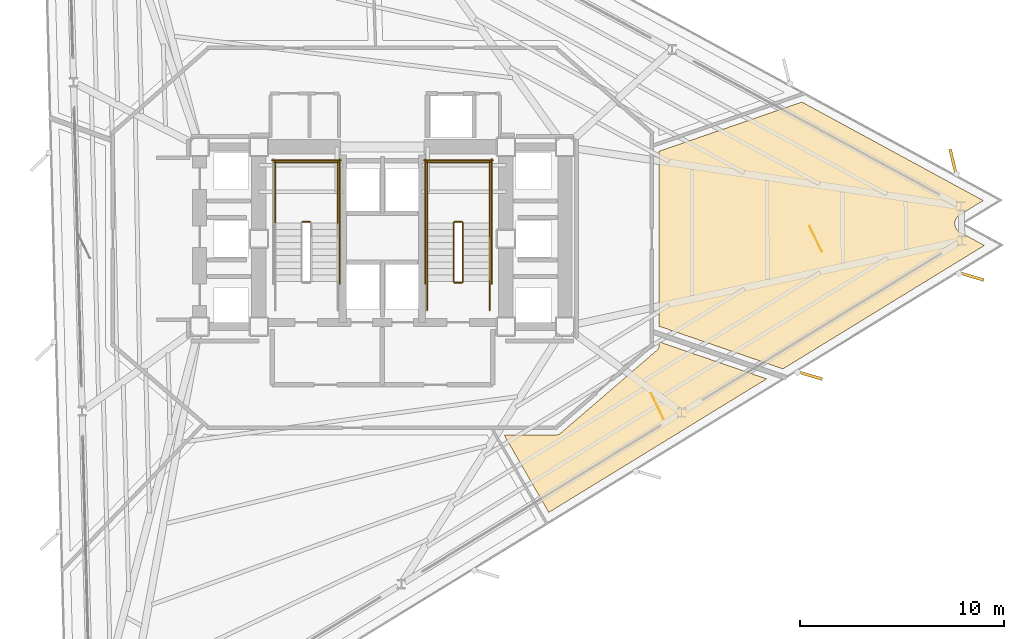
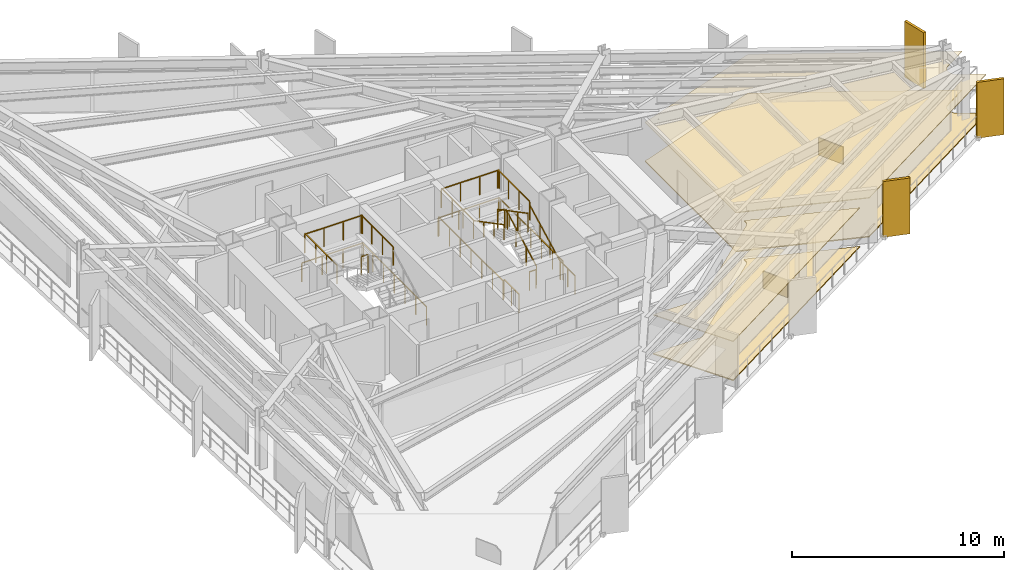
# One storey, part 13 of 14: 20 railings, 6 coverings, 3 shading devices.
"""IFC4 building model written with IfcOpenShell, lengths in metres."""

from ifc_helpers import new_model, si_unit, direction, frame, origin, origin_2d, place, context, subcontext, project, spatial, polyline, rectangle, outline, extrude, material, layer, layer_set, type_object, element, save


model = new_model("IFC4")

# Units and contexts
model_context = context("Model", 3, precision=1e-05, world=origin(), true_north=direction((0.0, 1.0)))
body_context = subcontext(model_context, "Body", "Model", "MODEL_VIEW")
ifc_project = project(units=[si_unit("LENGTHUNIT", "METRE"), si_unit("AREAUNIT", "SQUARE_METRE"), si_unit("VOLUMEUNIT", "CUBIC_METRE"), si_unit("PLANEANGLEUNIT", "RADIAN"), si_unit("MASSUNIT", "GRAM", prefix="KILO")], contexts=[model_context])

# Site, building, storey
site_placement = place(None, origin())
site = spatial("IfcSite", under=ifc_project, at=site_placement, CompositionType="ELEMENT")
building_placement = place(site_placement, origin())
building = spatial("IfcBuilding", under=site, at=building_placement, Name="Rocaltana Carrier Exchange", CompositionType="ELEMENT")
storey_placement = place(building_placement, frame((0.0, 0.0, 39.0400390625)))
storey = spatial("IfcBuildingStorey", under=building, at=storey_placement, Name="L12", CompositionType="ELEMENT", Elevation=39.0400390625)

# Coverings
ifc_material_1 = material(Name="Calcium Sulphate & Aluminium Pedestal", Category="aluminium")
ifc_layer_1 = layer(ifc_material_1, 0.06005859375)
ifc_layer_set_1 = layer_set([ifc_layer_1], Name="Calcium Sulphate & Aluminium Pedestal")
covering_type_1 = type_object("IfcCoveringType", Name="Anti-Static Raised Exchange Access Floor 60", PredefinedType="FLOORING", material=ifc_layer_set_1)
covering_1_placement = place(storey_placement, origin())
element("IfcCovering", 1, at=covering_1_placement, inside=storey, type_object=covering_type_1, Name="L12 Cloud Architecture Office Finish Floor", PredefinedType="FLOORING", context=body_context, shape_type="SweptSolid", body=[
    extrude(outline(polyline([(8.152587890625, -13.40087890625), (5.964111328125, -9.610107421875), (8.5, -9.610107421875), (8.51416015625, -9.609619140625), (8.522216796875, -9.609130859375), (8.550537109375, -9.606201171875), (8.55859375, -9.60498046875), (8.58642578125, -9.599365234375), (8.594482421875, -9.597412109375), (8.62158203125, -9.5888671875), (8.629150390625, -9.5859375), (8.6552734375, -9.57470703125), (8.66259765625, -9.571044921875), (8.6875, -9.557373046875), (8.6943359375, -9.552978515625), (8.717529296875, -9.53662109375), (8.72412109375, -9.53173828125), (8.735107421875, -9.522705078125), (13.43505859375, -5.47265625), (13.44482421875, -5.4638671875), (13.450439453125, -5.45849609375), (13.468994140625, -5.439208984375), (13.47412109375, -5.433349609375), (13.490478515625, -5.41259765625), (13.4951171875, -5.40625), (13.509521484375, -5.3837890625), (13.51318359375, -5.377197265625), (13.525634765625, -5.353515625), (13.52880859375, -5.346435546875), (13.538818359375, -5.32177734375), (13.541259765625, -5.314453125), (13.548828125, -5.288818359375), (13.550537109375, -5.281494140625), (13.5556640625, -5.255126953125), (13.556884765625, -5.24755859375), (13.559326171875, -5.220947265625), (13.559814453125, -5.21337890625), (13.56005859375, -5.199951171875), (13.56005859375, -5.0498046875), (18.822998046875, -6.862060546875), (8.152587890625, -13.40087890625)])), origin(), (0.0, 0.0, 1.0), 0.06005859375),
])
covering_2_placement = place(storey_placement, origin())
element("IfcCovering", 2, at=covering_2_placement, inside=storey, type_object=covering_type_1, Name="L12 Optical Switching Laboratory Finish Floor", PredefinedType="FLOORING", context=body_context, shape_type="SweptSolid", body=[
    extrude(outline(polyline([(29.427490234375, 1.87109375), (28.260498046875, 1.156005859375), (28.248779296875, 1.148193359375), (28.232421875, 1.136962890625), (28.210205078125, 1.1201171875), (28.19482421875, 1.107421875), (28.17431640625, 1.08837890625), (28.160400390625, 1.073974609375), (28.14208984375, 1.052978515625), (28.129638671875, 1.03759765625), (28.11328125, 1.014892578125), (28.1025390625, 0.998046875), (28.088623046875, 0.973876953125), (28.07958984375, 0.9560546875), (28.068115234375, 0.9306640625), (28.060791015625, 0.912109375), (28.052001953125, 0.885498046875), (28.046630859375, 0.866455078125), (28.04052734375, 0.839111328125), (28.037109375, 0.819580078125), (28.03369140625, 0.791748046875), (28.031982421875, 0.77197265625), (28.031494140625, 0.743896484375), (28.031982421875, 0.72412109375), (28.0341796875, 0.6962890625), (28.03662109375, 0.676513671875), (28.04150390625, 0.64892578125), (28.0458984375, 0.629638671875), (28.053466796875, 0.602783203125), (28.059814453125, 0.583740234375), (28.070068359375, 0.557861328125), (28.078369140625, 0.539794921875), (28.091064453125, 0.514892578125), (28.10107421875, 0.49755859375), (28.1162109375, 0.47412109375), (28.1279296875, 0.4580078125), (28.1455078125, 0.436279296875), (28.15869140625, 0.421142578125), (28.177978515625, 0.4013671875), (28.192626953125, 0.3876953125), (28.214111328125, 0.369873046875), (28.22998046875, 0.35791015625), (28.253173828125, 0.342041015625), (28.270263671875, 0.331787109375), (28.2822265625, 0.32470703125), (29.485107421875, -0.328369140625), (19.61865234375, -6.37451171875), (13.56005859375, -4.288330078125), (13.56005859375, 4.288330078125), (20.54541015625, 6.693603515625), (29.427490234375, 1.87109375)])), origin(), (0.0, 0.0, 1.0), 0.06005859375),
])
ifc_material_2 = material(Name="Mineral Fibre & Powder-Coated Aluminium", Category="aluminium")
ifc_layer_2 = layer(ifc_material_2, 0.044921875)
ifc_layer_set_2 = layer_set([ifc_layer_2], Name="Mineral Fibre & Powder-Coated Aluminium")
covering_type_2 = type_object("IfcCoveringType", Name="Micro-Perforated Acoustic Ceiling 45", PredefinedType="CEILING", material=ifc_layer_set_2)
covering_3_placement = place(storey_placement, frame((0.0, 0.0, 2.242919921875)))
element("IfcCovering", 3, at=covering_3_placement, inside=storey, type_object=covering_type_2, Name="L12 Cloud Architecture Office Acoustic Ceiling", PredefinedType="CEILING", context=body_context, shape_type="SweptSolid", body=[
    extrude(outline(polyline([(8.152587890625, -13.40087890625), (5.964111328125, -9.610107421875), (8.5, -9.610107421875), (8.51416015625, -9.609619140625), (8.522216796875, -9.609130859375), (8.550537109375, -9.606201171875), (8.55859375, -9.60498046875), (8.58642578125, -9.599365234375), (8.594482421875, -9.597412109375), (8.62158203125, -9.5888671875), (8.629150390625, -9.5859375), (8.6552734375, -9.57470703125), (8.66259765625, -9.571044921875), (8.6875, -9.557373046875), (8.6943359375, -9.552978515625), (8.717529296875, -9.53662109375), (8.72412109375, -9.53173828125), (8.735107421875, -9.522705078125), (13.43505859375, -5.47265625), (13.44482421875, -5.4638671875), (13.450439453125, -5.45849609375), (13.468994140625, -5.439208984375), (13.47412109375, -5.433349609375), (13.490478515625, -5.41259765625), (13.4951171875, -5.40625), (13.509521484375, -5.3837890625), (13.51318359375, -5.377197265625), (13.525634765625, -5.353515625), (13.52880859375, -5.346435546875), (13.538818359375, -5.32177734375), (13.541259765625, -5.314453125), (13.548828125, -5.288818359375), (13.550537109375, -5.281494140625), (13.5556640625, -5.255126953125), (13.556884765625, -5.24755859375), (13.559326171875, -5.220947265625), (13.559814453125, -5.21337890625), (13.56005859375, -5.199951171875), (13.56005859375, -5.0498046875), (18.822998046875, -6.862060546875), (8.152587890625, -13.40087890625)])), origin(), (0.0, 0.0, 1.0), 0.044921875),
])
covering_4_placement = place(storey_placement, frame((0.0, 0.0, 2.242919921875)))
element("IfcCovering", 4, at=covering_4_placement, inside=storey, type_object=covering_type_2, Name="L12 Optical Switching Laboratory Acoustic Ceiling", PredefinedType="CEILING", context=body_context, shape_type="SweptSolid", body=[
    extrude(outline(polyline([(29.427490234375, 1.87109375), (28.260498046875, 1.156005859375), (28.248779296875, 1.148193359375), (28.232421875, 1.136962890625), (28.210205078125, 1.1201171875), (28.19482421875, 1.107421875), (28.17431640625, 1.08837890625), (28.160400390625, 1.073974609375), (28.14208984375, 1.052978515625), (28.129638671875, 1.03759765625), (28.11328125, 1.014892578125), (28.1025390625, 0.998046875), (28.088623046875, 0.973876953125), (28.07958984375, 0.9560546875), (28.068115234375, 0.9306640625), (28.060791015625, 0.912109375), (28.052001953125, 0.885498046875), (28.046630859375, 0.866455078125), (28.04052734375, 0.839111328125), (28.037109375, 0.819580078125), (28.03369140625, 0.791748046875), (28.031982421875, 0.77197265625), (28.031494140625, 0.743896484375), (28.031982421875, 0.72412109375), (28.0341796875, 0.6962890625), (28.03662109375, 0.676513671875), (28.04150390625, 0.64892578125), (28.0458984375, 0.629638671875), (28.053466796875, 0.602783203125), (28.059814453125, 0.583740234375), (28.070068359375, 0.557861328125), (28.078369140625, 0.539794921875), (28.091064453125, 0.514892578125), (28.10107421875, 0.49755859375), (28.1162109375, 0.47412109375), (28.1279296875, 0.4580078125), (28.1455078125, 0.436279296875), (28.15869140625, 0.421142578125), (28.177978515625, 0.4013671875), (28.192626953125, 0.3876953125), (28.214111328125, 0.369873046875), (28.22998046875, 0.35791015625), (28.253173828125, 0.342041015625), (28.270263671875, 0.331787109375), (28.2822265625, 0.32470703125), (29.485107421875, -0.328369140625), (19.61865234375, -6.37451171875), (13.56005859375, -4.288330078125), (13.56005859375, 4.288330078125), (20.54541015625, 6.693603515625), (29.427490234375, 1.87109375)])), origin(), (0.0, 0.0, 1.0), 0.044921875),
])

# Railings
ifc_material_3 = material(Name="Brushed Architectural Stainless Tube", Category="steel")
ifc_layer_3 = layer(ifc_material_3, 0.048095703125)
ifc_layer_set_3 = layer_set([ifc_layer_3], Name="Brushed Architectural Stainless Tube")
railing_type_1 = type_object("IfcRailingType", Name="Stair Wall Handrail 920", PredefinedType="HANDRAIL", material=ifc_layer_set_3)
railing_1_placement = place(storey_placement, frame((5.25, -2.10009765625, 0.16796875)))
element("IfcRailing", 5, at=railing_1_placement, inside=storey, type_object=railing_type_1, Name="L12 ST-2 stair handrail 1", PredefinedType="HANDRAIL", context=body_context, shape_type="SweptSolid", body=[
    extrude(rectangle(XDim=0.048095703125, YDim=0.048095703125, at=origin_2d()), frame((0.0, 0.0, 0.8759765625), z_axis=(0.0, 0.885411030485, 0.464808893091), x_axis=(-1.0, 0.0, 0.0)), (0.0, 0.0, 1.0), 3.2529296875),
    extrude(rectangle(XDim=0.0419921875, YDim=0.0419921875, at=origin_2d()), origin(), (0.0, 0.0, 1.0), 0.851806640625),
    extrude(rectangle(XDim=0.0419921875, YDim=0.0419921875, at=origin_2d()), frame((0.0, 0.9599609375, 0.50390625)), (0.0, 0.0, 1.0), 0.851806640625),
    extrude(rectangle(XDim=0.0419921875, YDim=0.0419921875, at=origin_2d()), frame((0.0, 1.920166015625, 1.008056640625)), (0.0, 0.0, 1.0), 0.851806640625),
    extrude(rectangle(XDim=0.0419921875, YDim=0.0419921875, at=origin_2d()), frame((0.0, 2.880126953125, 1.511962890625)), (0.0, 0.0, 1.0), 0.851806640625),
])
railing_2_placement = place(storey_placement, frame((2.18994140625, 0.780029296875, 1.847900390625)))
element("IfcRailing", 6, at=railing_2_placement, inside=storey, type_object=railing_type_1, Name="L12 ST-2 stair handrail 2", PredefinedType="HANDRAIL", context=body_context, shape_type="SweptSolid", body=[
    extrude(rectangle(XDim=0.048095703125, YDim=0.048095703125, at=origin_2d()), frame((0.0, 0.0, 0.8759765625), z_axis=(0.0, -0.885411030485, 0.464808893091), x_axis=(1.0, 0.0, 0.0)), (0.0, 0.0, 1.0), 3.2529296875),
    extrude(rectangle(XDim=0.0419921875, YDim=0.0419921875, at=origin_2d()), origin(), (0.0, 0.0, 1.0), 0.851806640625),
    extrude(rectangle(XDim=0.0419921875, YDim=0.0419921875, at=origin_2d()), frame((0.0, -0.9599609375, 0.50390625)), (0.0, 0.0, 1.0), 0.851806640625),
    extrude(rectangle(XDim=0.0419921875, YDim=0.0419921875, at=origin_2d()), frame((0.0, -1.920166015625, 1.008056640625)), (0.0, 0.0, 1.0), 0.851806640625),
    extrude(rectangle(XDim=0.0419921875, YDim=0.0419921875, at=origin_2d()), frame((0.0, -2.880126953125, 1.511962890625)), (0.0, 0.0, 1.0), 0.851806640625),
])
ifc_material_4 = material(Name="Powder-Coated Aluminium 6063-T6", Category="aluminium")
ifc_layer_4 = layer(ifc_material_4, 0.048095703125)
ifc_layer_set_4 = layer_set([ifc_layer_4], Name="Powder-Coated Aluminium 6063-T6")
railing_type_2 = type_object("IfcRailingType", Name="Stair Well Guardrail 1100", PredefinedType="GUARDRAIL", material=ifc_layer_set_4)
railing_3_placement = place(storey_placement, frame((-3.5400390625, 0.830078125, 1.679931640625)))
element("IfcRailing", 7, at=railing_3_placement, inside=storey, type_object=railing_type_2, Name="L12 ST-1 stair guard 2", PredefinedType="GUARDRAIL", context=body_context, shape_type="SweptSolid", body=[
    extrude(rectangle(XDim=0.048095703125, YDim=0.048095703125, at=origin_2d()), frame((0.0, 0.0, 1.076171875), z_axis=(-1.0, 0.0, 0.0), x_axis=(0.0, -1.0, 0.0)), (0.0, 0.0, 1.0), 0.35986328125),
    extrude(rectangle(XDim=0.0419921875, YDim=0.0419921875, at=origin_2d()), origin(), (0.0, 0.0, 1.0), 1.052001953125),
    extrude(rectangle(XDim=0.0419921875, YDim=0.0419921875, at=origin_2d()), frame((-0.35986328125, 0.0, 0.0)), (0.0, 0.0, 1.0), 1.052001953125),
])
for number, where, name in (
    (8, (-2.18994140625, 0.780029296875, 1.679931640625), "L12 ST-1 stair guard 3"),
    (9, (-5.25, 0.780029296875, 1.679931640625), "L12 ST-1 stair guard 4"),
):
    element("IfcRailing", number, at=place(storey_placement, frame(where)), inside=storey, type_object=railing_type_2, Name=name, PredefinedType="GUARDRAIL", context=body_context, shape_type="SweptSolid", body=[
        extrude(rectangle(XDim=0.048095703125, YDim=0.048095703125, at=origin_2d()), frame((0.0, 0.0, 1.076171875), z_axis=(0.0, 1.0, 0.0), x_axis=(-1.0, 0.0, 0.0)), (0.0, 0.0, 1.0), 3.02001953125),
        extrude(rectangle(XDim=0.0419921875, YDim=0.0419921875, at=origin_2d()), origin(), (0.0, 0.0, 1.0), 1.052001953125),
        extrude(rectangle(XDim=0.0419921875, YDim=0.0419921875, at=origin_2d()), frame((0.0, 1.006591796875, 0.0)), (0.0, 0.0, 1.0), 1.052001953125),
        extrude(rectangle(XDim=0.0419921875, YDim=0.0419921875, at=origin_2d()), frame((0.0, 2.013427734375, 0.0)), (0.0, 0.0, 1.0), 1.052001953125),
        extrude(rectangle(XDim=0.0419921875, YDim=0.0419921875, at=origin_2d()), frame((0.0, 3.02001953125, 0.0)), (0.0, 0.0, 1.0), 1.052001953125),
    ])
railing_4_placement = place(storey_placement, frame((-2.139892578125, 3.75, 1.679931640625)))
element("IfcRailing", 10, at=railing_4_placement, inside=storey, type_object=railing_type_2, Name="L12 ST-1 stair guard 5", PredefinedType="GUARDRAIL", context=body_context, shape_type="SweptSolid", body=[
    extrude(rectangle(XDim=0.048095703125, YDim=0.048095703125, at=origin_2d()), frame((0.0, 0.0, 1.076171875), z_axis=(-1.0, 0.0, 0.0), x_axis=(0.0, -1.0, 0.0)), (0.0, 0.0, 1.0), 3.16015625),
    extrude(rectangle(XDim=0.0419921875, YDim=0.0419921875, at=origin_2d()), origin(), (0.0, 0.0, 1.0), 1.052001953125),
    extrude(rectangle(XDim=0.0419921875, YDim=0.0419921875, at=origin_2d()), frame((-1.053466796875, 0.0, 0.0)), (0.0, 0.0, 1.0), 1.052001953125),
    extrude(rectangle(XDim=0.0419921875, YDim=0.0419921875, at=origin_2d()), frame((-2.106689453125, 0.0, 0.0)), (0.0, 0.0, 1.0), 1.052001953125),
    extrude(rectangle(XDim=0.0419921875, YDim=0.0419921875, at=origin_2d()), frame((-3.16015625, 0.0, 0.0)), (0.0, 0.0, 1.0), 1.052001953125),
])
railing_5_placement = place(storey_placement, frame((-2.090087890625, -2.199951171875, 0.0)))
element("IfcRailing", 11, at=railing_5_placement, inside=storey, type_object=railing_type_2, Name="L12 ST-1 stair guard 10", PredefinedType="GUARDRAIL", context=body_context, shape_type="SweptSolid", body=[
    extrude(rectangle(XDim=0.048095703125, YDim=0.048095703125, at=origin_2d()), frame((0.0, 0.0, 1.076171875), z_axis=(0.0, 1.0, 0.0), x_axis=(-1.0, 0.0, 0.0)), (0.0, 0.0, 1.0), 6.099853515625),
    extrude(rectangle(XDim=0.0419921875, YDim=0.0419921875, at=origin_2d()), origin(), (0.0, 0.0, 1.0), 1.052001953125),
    extrude(rectangle(XDim=0.0419921875, YDim=0.0419921875, at=origin_2d()), frame((0.0, 1.0166015625, 0.0)), (0.0, 0.0, 1.0), 1.052001953125),
    extrude(rectangle(XDim=0.0419921875, YDim=0.0419921875, at=origin_2d()), frame((0.0, 2.033203125, 0.0)), (0.0, 0.0, 1.0), 1.052001953125),
    extrude(rectangle(XDim=0.0419921875, YDim=0.0419921875, at=origin_2d()), frame((0.0, 3.0498046875, 0.0)), (0.0, 0.0, 1.0), 1.052001953125),
    extrude(rectangle(XDim=0.0419921875, YDim=0.0419921875, at=origin_2d()), frame((0.0, 4.066650390625, 0.0)), (0.0, 0.0, 1.0), 1.052001953125),
    extrude(rectangle(XDim=0.0419921875, YDim=0.0419921875, at=origin_2d()), frame((0.0, 5.083251953125, 0.0)), (0.0, 0.0, 1.0), 1.052001953125),
    extrude(rectangle(XDim=0.0419921875, YDim=0.0419921875, at=origin_2d()), frame((0.0, 6.099853515625, 0.0)), (0.0, 0.0, 1.0), 1.052001953125),
])
railing_6_placement = place(storey_placement, frame((-2.0400390625, 3.85009765625, 0.0)))
element("IfcRailing", 12, at=railing_6_placement, inside=storey, type_object=railing_type_2, Name="L12 ST-1 stair guard 12", PredefinedType="GUARDRAIL", context=body_context, shape_type="SweptSolid", body=[
    extrude(rectangle(XDim=0.048095703125, YDim=0.048095703125, at=origin_2d()), frame((0.0, 0.0, 1.076171875), z_axis=(-1.0, 0.0, 0.0), x_axis=(0.0, -1.0, 0.0)), (0.0, 0.0, 1.0), 3.35986328125),
    extrude(rectangle(XDim=0.0419921875, YDim=0.0419921875, at=origin_2d()), origin(), (0.0, 0.0, 1.0), 1.052001953125),
    extrude(rectangle(XDim=0.0419921875, YDim=0.0419921875, at=origin_2d()), frame((-1.119873046875, 0.0, 0.0)), (0.0, 0.0, 1.0), 1.052001953125),
    extrude(rectangle(XDim=0.0419921875, YDim=0.0419921875, at=origin_2d()), frame((-2.239990234375, 0.0, 0.0)), (0.0, 0.0, 1.0), 1.052001953125),
    extrude(rectangle(XDim=0.0419921875, YDim=0.0419921875, at=origin_2d()), frame((-3.35986328125, 0.0, 0.0)), (0.0, 0.0, 1.0), 1.052001953125),
])
railing_7_placement = place(storey_placement, frame((3.949951171875, -2.10009765625, 0.16796875)))
element("IfcRailing", 13, at=railing_7_placement, inside=storey, type_object=railing_type_2, Name="L12 ST-2 stair guard 1", PredefinedType="GUARDRAIL", context=body_context, shape_type="SweptSolid", body=[
    extrude(rectangle(XDim=0.048095703125, YDim=0.048095703125, at=origin_2d()), frame((0.0, 0.0, 1.076171875), z_axis=(0.0, 0.885411030485, 0.464808893091), x_axis=(-1.0, 0.0, 0.0)), (0.0, 0.0, 1.0), 3.2529296875),
    extrude(rectangle(XDim=0.0419921875, YDim=0.0419921875, at=origin_2d()), origin(), (0.0, 0.0, 1.0), 1.052001953125),
    extrude(rectangle(XDim=0.0419921875, YDim=0.0419921875, at=origin_2d()), frame((0.0, 0.9599609375, 0.50390625)), (0.0, 0.0, 1.0), 1.052001953125),
    extrude(rectangle(XDim=0.0419921875, YDim=0.0419921875, at=origin_2d()), frame((0.0, 1.920166015625, 1.008056640625)), (0.0, 0.0, 1.0), 1.052001953125),
    extrude(rectangle(XDim=0.0419921875, YDim=0.0419921875, at=origin_2d()), frame((0.0, 2.880126953125, 1.511962890625)), (0.0, 0.0, 1.0), 1.052001953125),
])
railing_8_placement = place(storey_placement, frame((3.89990234375, 0.830078125, 1.679931640625)))
element("IfcRailing", 14, at=railing_8_placement, inside=storey, type_object=railing_type_2, Name="L12 ST-2 stair guard 2", PredefinedType="GUARDRAIL", context=body_context, shape_type="SweptSolid", body=[
    extrude(rectangle(XDim=0.048095703125, YDim=0.048095703125, at=origin_2d()), frame((0.0, 0.0, 1.076171875), z_axis=(-1.0, 0.0, 0.0), x_axis=(0.0, -1.0, 0.0)), (0.0, 0.0, 1.0), 0.35986328125),
    extrude(rectangle(XDim=0.0419921875, YDim=0.0419921875, at=origin_2d()), origin(), (0.0, 0.0, 1.0), 1.052001953125),
    extrude(rectangle(XDim=0.0419921875, YDim=0.0419921875, at=origin_2d()), frame((-0.35986328125, 0.0, 0.0)), (0.0, 0.0, 1.0), 1.052001953125),
])
for number, where, name in (
    (15, (5.25, 0.780029296875, 1.679931640625), "L12 ST-2 stair guard 3"),
    (16, (2.18994140625, 0.780029296875, 1.679931640625), "L12 ST-2 stair guard 4"),
):
    element("IfcRailing", number, at=place(storey_placement, frame(where)), inside=storey, type_object=railing_type_2, Name=name, PredefinedType="GUARDRAIL", context=body_context, shape_type="SweptSolid", body=[
        extrude(rectangle(XDim=0.048095703125, YDim=0.048095703125, at=origin_2d()), frame((0.0, 0.0, 1.076171875), z_axis=(0.0, 1.0, 0.0), x_axis=(-1.0, 0.0, 0.0)), (0.0, 0.0, 1.0), 3.02001953125),
        extrude(rectangle(XDim=0.0419921875, YDim=0.0419921875, at=origin_2d()), origin(), (0.0, 0.0, 1.0), 1.052001953125),
        extrude(rectangle(XDim=0.0419921875, YDim=0.0419921875, at=origin_2d()), frame((0.0, 1.006591796875, 0.0)), (0.0, 0.0, 1.0), 1.052001953125),
        extrude(rectangle(XDim=0.0419921875, YDim=0.0419921875, at=origin_2d()), frame((0.0, 2.013427734375, 0.0)), (0.0, 0.0, 1.0), 1.052001953125),
        extrude(rectangle(XDim=0.0419921875, YDim=0.0419921875, at=origin_2d()), frame((0.0, 3.02001953125, 0.0)), (0.0, 0.0, 1.0), 1.052001953125),
    ])
railing_9_placement = place(storey_placement, frame((5.300048828125, 3.75, 1.679931640625)))
element("IfcRailing", 17, at=railing_9_placement, inside=storey, type_object=railing_type_2, Name="L12 ST-2 stair guard 5", PredefinedType="GUARDRAIL", context=body_context, shape_type="SweptSolid", body=[
    extrude(rectangle(XDim=0.048095703125, YDim=0.048095703125, at=origin_2d()), frame((0.0, 0.0, 1.076171875), z_axis=(-1.0, 0.0, 0.0), x_axis=(0.0, -1.0, 0.0)), (0.0, 0.0, 1.0), 3.16015625),
    extrude(rectangle(XDim=0.0419921875, YDim=0.0419921875, at=origin_2d()), origin(), (0.0, 0.0, 1.0), 1.052001953125),
    extrude(rectangle(XDim=0.0419921875, YDim=0.0419921875, at=origin_2d()), frame((-1.053466796875, 0.0, 0.0)), (0.0, 0.0, 1.0), 1.052001953125),
    extrude(rectangle(XDim=0.0419921875, YDim=0.0419921875, at=origin_2d()), frame((-2.106689453125, 0.0, 0.0)), (0.0, 0.0, 1.0), 1.052001953125),
    extrude(rectangle(XDim=0.0419921875, YDim=0.0419921875, at=origin_2d()), frame((-3.16015625, 0.0, 0.0)), (0.0, 0.0, 1.0), 1.052001953125),
])
railing_10_placement = place(storey_placement, frame((3.489990234375, 0.780029296875, 1.847900390625)))
element("IfcRailing", 18, at=railing_10_placement, inside=storey, type_object=railing_type_2, Name="L12 ST-2 stair guard 6", PredefinedType="GUARDRAIL", context=body_context, shape_type="SweptSolid", body=[
    extrude(rectangle(XDim=0.048095703125, YDim=0.048095703125, at=origin_2d()), frame((0.0, 0.0, 1.076171875), z_axis=(0.0, -0.885411030485, 0.464808893091), x_axis=(1.0, 0.0, 0.0)), (0.0, 0.0, 1.0), 3.2529296875),
    extrude(rectangle(XDim=0.0419921875, YDim=0.0419921875, at=origin_2d()), origin(), (0.0, 0.0, 1.0), 1.052001953125),
    extrude(rectangle(XDim=0.0419921875, YDim=0.0419921875, at=origin_2d()), frame((0.0, -0.9599609375, 0.50390625)), (0.0, 0.0, 1.0), 1.052001953125),
    extrude(rectangle(XDim=0.0419921875, YDim=0.0419921875, at=origin_2d()), frame((0.0, -1.920166015625, 1.008056640625)), (0.0, 0.0, 1.0), 1.052001953125),
    extrude(rectangle(XDim=0.0419921875, YDim=0.0419921875, at=origin_2d()), frame((0.0, -2.880126953125, 1.511962890625)), (0.0, 0.0, 1.0), 1.052001953125),
])
railing_11_placement = place(storey_placement, frame((3.89990234375, -2.14990234375, 0.0)))
element("IfcRailing", 19, at=railing_11_placement, inside=storey, type_object=railing_type_2, Name="L12 ST-2 stair guard 7", PredefinedType="GUARDRAIL", context=body_context, shape_type="SweptSolid", body=[
    extrude(rectangle(XDim=0.048095703125, YDim=0.048095703125, at=origin_2d()), frame((0.0, 0.0, 1.076171875), z_axis=(-1.0, 0.0, 0.0), x_axis=(0.0, -1.0, 0.0)), (0.0, 0.0, 1.0), 0.35986328125),
    extrude(rectangle(XDim=0.0419921875, YDim=0.0419921875, at=origin_2d()), origin(), (0.0, 0.0, 1.0), 1.052001953125),
    extrude(rectangle(XDim=0.0419921875, YDim=0.0419921875, at=origin_2d()), frame((-0.35986328125, 0.0, 0.0)), (0.0, 0.0, 1.0), 1.052001953125),
])
for number, where, name in (
    (20, (5.25, -3.5, 0.0), "L12 ST-2 stair guard 8"),
    (21, (2.18994140625, -3.5, 0.0), "L12 ST-2 stair guard 9"),
):
    element("IfcRailing", number, at=place(storey_placement, frame(where)), inside=storey, type_object=railing_type_2, Name=name, PredefinedType="GUARDRAIL", context=body_context, shape_type="SweptSolid", body=[
        extrude(rectangle(XDim=0.048095703125, YDim=0.048095703125, at=origin_2d()), frame((0.0, 0.0, 1.076171875), z_axis=(0.0, 1.0, 0.0), x_axis=(-1.0, 0.0, 0.0)), (0.0, 0.0, 1.0), 1.39990234375),
        extrude(rectangle(XDim=0.0419921875, YDim=0.0419921875, at=origin_2d()), origin(), (0.0, 0.0, 1.0), 1.052001953125),
        extrude(rectangle(XDim=0.0419921875, YDim=0.0419921875, at=origin_2d()), frame((0.0, 0.699951171875, 0.0)), (0.0, 0.0, 1.0), 1.052001953125),
        extrude(rectangle(XDim=0.0419921875, YDim=0.0419921875, at=origin_2d()), frame((0.0, 1.39990234375, 0.0)), (0.0, 0.0, 1.0), 1.052001953125),
    ])
for number, where, name in (
    (22, (5.35009765625, -2.199951171875, 0.0), "L12 ST-2 stair guard 10"),
    (23, (2.090087890625, -2.199951171875, 0.0), "L12 ST-2 stair guard 11"),
):
    element("IfcRailing", number, at=place(storey_placement, frame(where)), inside=storey, type_object=railing_type_2, Name=name, PredefinedType="GUARDRAIL", context=body_context, shape_type="SweptSolid", body=[
        extrude(rectangle(XDim=0.048095703125, YDim=0.048095703125, at=origin_2d()), frame((0.0, 0.0, 1.076171875), z_axis=(0.0, 1.0, 0.0), x_axis=(-1.0, 0.0, 0.0)), (0.0, 0.0, 1.0), 6.099853515625),
        extrude(rectangle(XDim=0.0419921875, YDim=0.0419921875, at=origin_2d()), origin(), (0.0, 0.0, 1.0), 1.052001953125),
        extrude(rectangle(XDim=0.0419921875, YDim=0.0419921875, at=origin_2d()), frame((0.0, 1.0166015625, 0.0)), (0.0, 0.0, 1.0), 1.052001953125),
        extrude(rectangle(XDim=0.0419921875, YDim=0.0419921875, at=origin_2d()), frame((0.0, 2.033203125, 0.0)), (0.0, 0.0, 1.0), 1.052001953125),
        extrude(rectangle(XDim=0.0419921875, YDim=0.0419921875, at=origin_2d()), frame((0.0, 3.0498046875, 0.0)), (0.0, 0.0, 1.0), 1.052001953125),
        extrude(rectangle(XDim=0.0419921875, YDim=0.0419921875, at=origin_2d()), frame((0.0, 4.066650390625, 0.0)), (0.0, 0.0, 1.0), 1.052001953125),
        extrude(rectangle(XDim=0.0419921875, YDim=0.0419921875, at=origin_2d()), frame((0.0, 5.083251953125, 0.0)), (0.0, 0.0, 1.0), 1.052001953125),
        extrude(rectangle(XDim=0.0419921875, YDim=0.0419921875, at=origin_2d()), frame((0.0, 6.099853515625, 0.0)), (0.0, 0.0, 1.0), 1.052001953125),
    ])
railing_12_placement = place(storey_placement, frame((5.39990234375, 3.85009765625, 0.0)))
element("IfcRailing", 24, at=railing_12_placement, inside=storey, type_object=railing_type_2, Name="L12 ST-2 stair guard 12", PredefinedType="GUARDRAIL", context=body_context, shape_type="SweptSolid", body=[
    extrude(rectangle(XDim=0.048095703125, YDim=0.048095703125, at=origin_2d()), frame((0.0, 0.0, 1.076171875), z_axis=(-1.0, 0.0, 0.0), x_axis=(0.0, -1.0, 0.0)), (0.0, 0.0, 1.0), 3.35986328125),
    extrude(rectangle(XDim=0.0419921875, YDim=0.0419921875, at=origin_2d()), origin(), (0.0, 0.0, 1.0), 1.052001953125),
    extrude(rectangle(XDim=0.0419921875, YDim=0.0419921875, at=origin_2d()), frame((-1.119873046875, 0.0, 0.0)), (0.0, 0.0, 1.0), 1.052001953125),
    extrude(rectangle(XDim=0.0419921875, YDim=0.0419921875, at=origin_2d()), frame((-2.239990234375, 0.0, 0.0)), (0.0, 0.0, 1.0), 1.052001953125),
    extrude(rectangle(XDim=0.0419921875, YDim=0.0419921875, at=origin_2d()), frame((-3.35986328125, 0.0, 0.0)), (0.0, 0.0, 1.0), 1.052001953125),
])

# Coverings
ifc_material_5 = material(Name="Honed Piedra Muneca Sandstone", Category="masonry")
ifc_layer_5 = layer(ifc_material_5, 0.034912109375)
ifc_layer_set_5 = layer_set([ifc_layer_5], Name="Honed Piedra Muneca Sandstone")
covering_type_3 = type_object("IfcCoveringType", Name="Stone Facade Cladding 35", PredefinedType="CLADDING", material=ifc_layer_set_5)
for number, where, z_axis, x_axis, name in (
    (25, (13.465576171875, -8.1923828125, 0.0), (0.0, 0.0, 1.0), (-0.438371146789, 0.898794046299, 0.0), "L12 Stone Facade Cladding Panel 3"),
    (26, (21.2216796875, -0.001708984375, 0.0), (0.0, 0.0, 1.0), (-0.438371146789, 0.898794046299, 0.0), "L12 Stone Facade Cladding Panel 4"),
):
    element("IfcCovering", number, at=place(storey_placement, frame(where, z_axis=z_axis, x_axis=x_axis)), inside=storey, type_object=covering_type_3, Name=name, PredefinedType="CLADDING", context=body_context, shape_type="SweptSolid", body=[
        extrude(rectangle(XDim=1.39990234375, YDim=0.034912109375, at=origin_2d()), origin(), (0.0, 0.0, 1.0), 1.050048828125),
    ])

# Shading devices
ifc_material_6 = material(Name="Honed Bogota Sandstone & Concrete C45/55", Category="masonry")
ifc_layer_6 = layer(ifc_material_6, 0.139892578125)
ifc_layer_set_6 = layer_set([ifc_layer_6], Name="Honed Bogota Sandstone & Concrete C45/55")
shading_device_type = type_object("IfcShadingDeviceType", Name="Vertical Sandstone Shading Fin 1320x140", PredefinedType="USERDEFINED", material=ifc_layer_set_6)
for number, where, z_axis, x_axis, name in (
    (27, (27.95751953125, 3.739501953125, -0.1201171875), (0.0, 0.0, 1.0), (-0.233445363856, 0.972369920398, 0.0), "L12 Sandstone Vertical Fin F1-01"),
    (28, (20.909912109375, -6.6865234375, -0.1201171875), (0.0, 0.0, 1.0), (0.958819734868, -0.284015344704, 0.0), "L12 Sandstone Vertical Fin F3-05"),
    (29, (28.822265625, -1.837646484375, -0.1201171875), (0.0, 0.0, 1.0), (0.958819734868, -0.284015344704, 0.0), "L12 Sandstone Vertical Fin F3-06"),
):
    element("IfcShadingDevice", number, at=place(storey_placement, frame(where, z_axis=z_axis, x_axis=x_axis)), inside=storey, type_object=shading_device_type, Name=name, ObjectType="FIN", PredefinedType="USERDEFINED", context=body_context, shape_type="SweptSolid", body=[
        extrude(rectangle(XDim=1.320068359375, YDim=0.139892578125, at=origin_2d()), origin(), (0.0, 0.0, 1.0), 3.218017578125),
    ])

save(model, "model.ifc")
